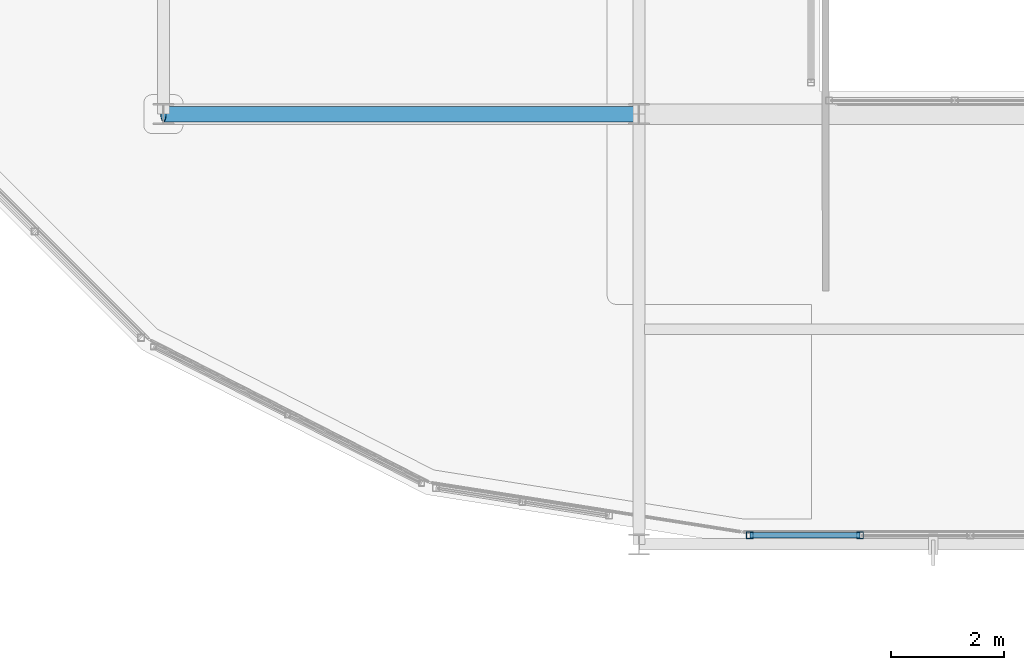
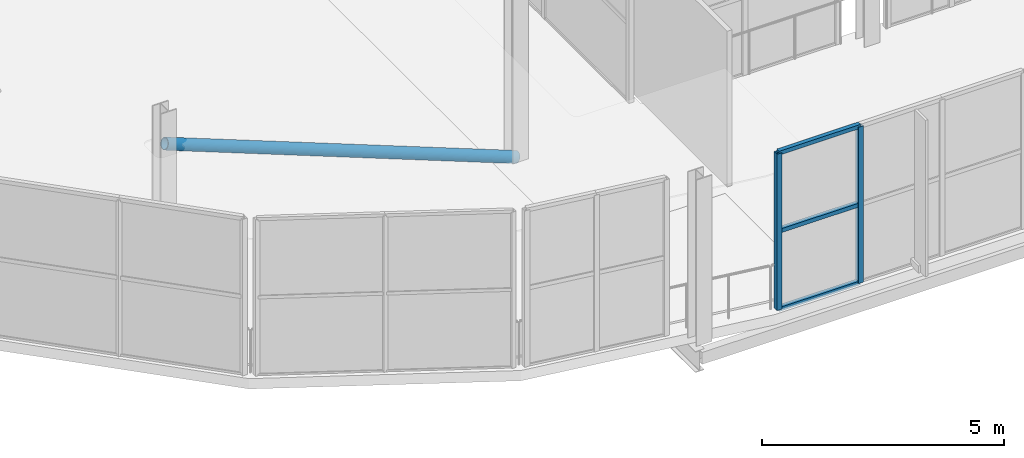
# One storey, part 16 of 217: 6 members, 1 element without a shape of its own.
"""IFC4 building model written with IfcOpenShell, lengths in metres."""

from ifc_helpers import new_model, si_unit, direction, frame, origin, origin_2d, place, context, subcontext, project, spatial, hollow_rectangle, hollow_circle, extrude, material, material_profile, profile_set, type_object, element, aggregate, save


model = new_model("IFC4")

# Units and contexts
model_context = context("Model", 3, precision=1e-05, world=origin(), true_north=direction((0.0, 1.0)))
body_context = subcontext(model_context, "Body", "Model", "MODEL_VIEW")
ifc_project = project(units=[si_unit("LENGTHUNIT", "METRE"), si_unit("AREAUNIT", "SQUARE_METRE"), si_unit("VOLUMEUNIT", "CUBIC_METRE"), si_unit("PLANEANGLEUNIT", "RADIAN"), si_unit("MASSUNIT", "GRAM", prefix="KILO")], contexts=[model_context])

# Site, building, storey
site_placement = place(None, origin())
site = spatial("IfcSite", under=ifc_project, at=site_placement, CompositionType="ELEMENT")
building_placement = place(site_placement, origin())
building = spatial("IfcBuilding", under=site, at=building_placement, Name="Zuvorla Pavilion Media Centre", CompositionType="ELEMENT")
storey_placement = place(building_placement, frame((0.0, 0.0, 9.60009765625)))
storey = spatial("IfcBuildingStorey", under=building, at=storey_placement, Name="L02", CompositionType="ELEMENT", Elevation=9.60009765625)

# Curtain wall, members
ifc_material_1 = material(Name="Unitised anodised aluminium and solar glass curtain wall", Category="aluminium")
curtain_wall_type = type_object("IfcCurtainWallType", Name="CW-SYS-07", PredefinedType="USERDEFINED", material=ifc_material_1)
curtain_wall_placement = place(storey_placement, origin())
curtain_wall = element("IfcCurtainWall", 1, at=curtain_wall_placement, inside=storey, type_object=curtain_wall_type, Name="L02 curtain wall CW07 38", ObjectType="CURTAIN WALL", PredefinedType="USERDEFINED")
ifc_material_2 = material(Name="Anodised aluminium 6063-T6", Category="aluminium")
ifc_material_profile_1 = material_profile(ifc_material_2, hollow_rectangle(XDim=0.1201171875, YDim=0.1201171875, WallThickness=0.0048828125, at=origin_2d()), Name="ALU MULL 120x120")
ifc_profile_set_1 = profile_set([ifc_material_profile_1], Name="Anodised aluminium 6063-T6")
member_type_1 = type_object("IfcMemberType", Name="CW-MULL-120", PredefinedType="MULLION", material=ifc_profile_set_1)
member_1_placement = place(storey_placement, frame((26.760009765625, 44.159912109375, 0.0), z_axis=(0.0, 0.0, 1.0), x_axis=(1.0, 0.0, 0.0)))
member_1 = element("IfcMember", 2, at=member_1_placement, type_object=member_type_1, Name="CW07 mullion 1", PredefinedType="MULLION", context=body_context, shape_type="SweptSolid", body=[
    extrude(hollow_rectangle(XDim=0.1201171875, YDim=0.1201171875, WallThickness=0.0048828125, at=origin_2d()), origin(), (0.0, 0.0, 1.0), 3.949951171875),
])
member_2_placement = place(storey_placement, frame((28.70654296875, 44.159912109375, 0.0), z_axis=(0.0, 0.0, 1.0), x_axis=(1.0, 0.0, 0.0)))
member_2 = element("IfcMember", 3, at=member_2_placement, type_object=member_type_1, Name="CW07 mullion 2", PredefinedType="MULLION", context=body_context, shape_type="SweptSolid", body=[
    extrude(hollow_rectangle(XDim=0.1201171875, YDim=0.1201171875, WallThickness=0.0048828125, at=origin_2d()), origin(), (0.0, 0.0, 1.0), 3.949951171875),
])
ifc_material_profile_2 = material_profile(ifc_material_2, hollow_rectangle(XDim=0.10009765625, YDim=0.10009765625, WallThickness=0.00439453125, at=origin_2d()), Name="ALU TRAN 100x100")
ifc_profile_set_2 = profile_set([ifc_material_profile_2], Name="Anodised aluminium 6063-T6")
member_type_2 = type_object("IfcMemberType", Name="CW-TRAN-100", PredefinedType="USERDEFINED", material=ifc_profile_set_2)
member_3_placement = place(storey_placement, frame((26.760009765625, 44.159912109375, 0.0), z_axis=(1.0, 0.0, 0.0), x_axis=(0.0, 1.0, 0.0)))
member_3 = element("IfcMember", 4, at=member_3_placement, type_object=member_type_2, Name="CW07 transom 1.1", ObjectType="TRANSOM", PredefinedType="USERDEFINED", context=body_context, shape_type="SweptSolid", body=[
    extrude(hollow_rectangle(XDim=0.10009765625, YDim=0.10009765625, WallThickness=0.00439453125, at=origin_2d()), origin(), (0.0, 0.0, 1.0), 1.946533203125),
])
member_4_placement = place(storey_placement, frame((26.760009765625, 44.159912109375, 1.974853515625), z_axis=(1.0, 0.0, 0.0), x_axis=(0.0, 1.0, 0.0)))
member_4 = element("IfcMember", 5, at=member_4_placement, type_object=member_type_2, Name="CW07 transom 1.2", ObjectType="TRANSOM", PredefinedType="USERDEFINED", context=body_context, shape_type="SweptSolid", body=[
    extrude(hollow_rectangle(XDim=0.10009765625, YDim=0.10009765625, WallThickness=0.00439453125, at=origin_2d()), origin(), (0.0, 0.0, 1.0), 1.946533203125),
])
member_5_placement = place(storey_placement, frame((26.760009765625, 44.159912109375, 3.949951171875), z_axis=(1.0, 0.0, 0.0), x_axis=(0.0, 1.0, 0.0)))
member_5 = element("IfcMember", 6, at=member_5_placement, type_object=member_type_2, Name="CW07 transom 1.3", ObjectType="TRANSOM", PredefinedType="USERDEFINED", context=body_context, shape_type="SweptSolid", body=[
    extrude(hollow_rectangle(XDim=0.10009765625, YDim=0.10009765625, WallThickness=0.00439453125, at=origin_2d()), origin(), (0.0, 0.0, 1.0), 1.946533203125),
])
aggregate(curtain_wall, [member_1, member_2, member_3, member_4, member_5])

# Member
ifc_material_3 = material(Name="Steel S355", Category="steel")
ifc_material_profile_3 = material_profile(ifc_material_3, hollow_circle(Radius=0.136474609375, WallThickness=0.012451171875, at=origin_2d()), Name="CHS 273x12.5")
ifc_profile_set_3 = profile_set([ifc_material_profile_3], Name="Steel S355")
member_type_3 = type_object("IfcMemberType", Name="MEM-BRC-CHS273", PredefinedType="BRACE", material=ifc_profile_set_3)
member_6_placement = place(storey_placement, frame((24.800048828125, 51.60009765625, 0.0), z_axis=(-0.931514541354, 0.0, 0.363704081976), x_axis=(0.0, -1.0, 0.0)))
element("IfcMember", 7, at=member_6_placement, inside=storey, type_object=member_type_3, Name="L02 diagonal brace TB01 25", PredefinedType="BRACE", context=body_context, shape_type="SweptSolid", body=[
    extrude(hollow_circle(Radius=0.136474609375, WallThickness=0.012451171875, at=origin_2d()), origin(), (0.0, 0.0, 1.0), 9.017822265625),
])

save(model, "model.ifc")
